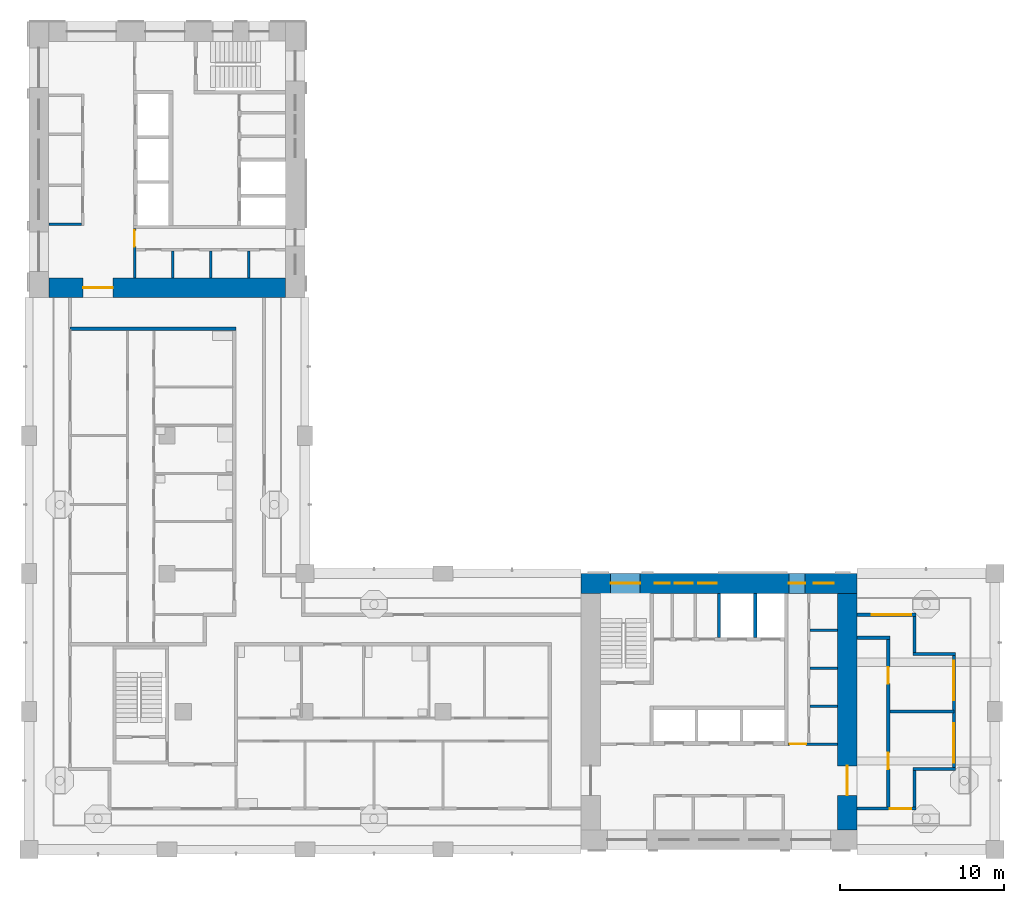
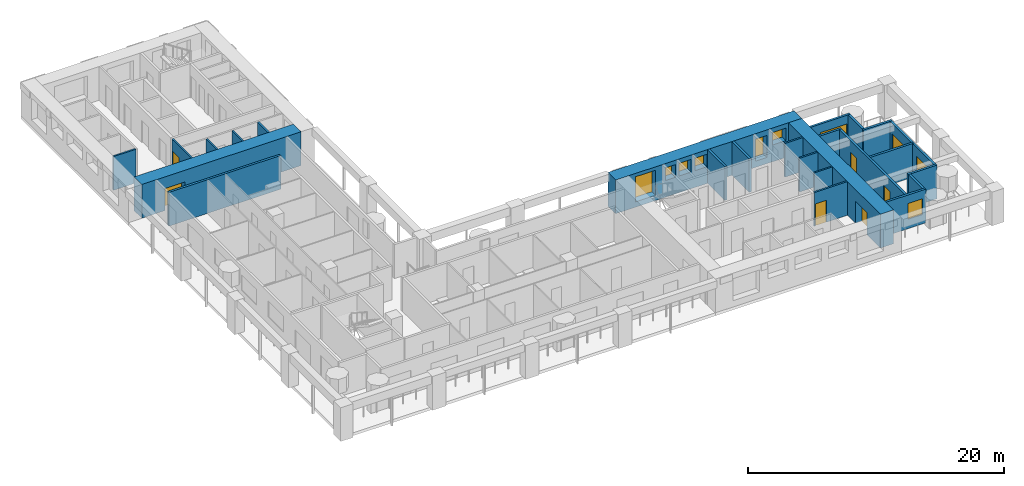
# One storey, part 5 of 13: 25 walls, 9 windows, 7 doors, 16 openings.
"""IFC4 building model written with IfcOpenShell, lengths in metres."""

from ifc_helpers import new_model, si_unit, direction, frame, frame_2d, origin, place, context, subcontext, project, spatial, rectangle, extrude, material, layer, layer_set, type_object, element, fill, save


model = new_model("IFC4")

# Units and contexts
model_context = context("Model", 3, precision=1e-05, world=origin(), true_north=direction((0.0, 1.0)))
body_context = subcontext(model_context, "Body", "Model", "MODEL_VIEW")
ifc_project = project(units=[si_unit("LENGTHUNIT", "METRE"), si_unit("AREAUNIT", "SQUARE_METRE"), si_unit("VOLUMEUNIT", "CUBIC_METRE"), si_unit("PLANEANGLEUNIT", "RADIAN"), si_unit("MASSUNIT", "GRAM", prefix="KILO")], contexts=[model_context])

# Site, building, storey
site_placement = place(None, origin())
site = spatial("IfcSite", under=ifc_project, at=site_placement, CompositionType="ELEMENT")
building_placement = place(site_placement, origin())
building = spatial("IfcBuilding", under=site, at=building_placement, Name="Vermilion Gate Residences", CompositionType="ELEMENT")
storey_placement = place(building_placement, frame((0.0, 0.0, 161.699951171875)))
storey = spatial("IfcBuildingStorey", under=building, at=storey_placement, Name="L41", CompositionType="ELEMENT", Elevation=161.699951171875)

# Wall, opening, door
ifc_material_1 = material(Name="Masonry blockwork", Category="masonry")
ifc_layer_1 = layer(ifc_material_1, 0.14990234375)
ifc_layer_set_1 = layer_set([ifc_layer_1], Name="BLOCKWORK PARTITION 150 EI 120")
wall_type_1 = type_object("IfcWallType", Name="BLOCKWORK PARTITION 150 EI 120", PredefinedType="PARTITIONING", material=ifc_layer_set_1)
wall_1_placement = place(storey_placement, frame((54.60009765625, 14.824951171875, 0.0), z_axis=(0.0, 0.0, 1.0), x_axis=(1.0, 0.0, 0.0)))
wall_1 = element("IfcWall", 1, at=wall_1_placement, inside=storey, type_object=wall_type_1, Name="Core room partition A41-ES-S", PredefinedType="PARTITIONING", context=body_context, shape_type="SweptSolid", body=[
    extrude(rectangle(XDim=3.0, YDim=0.14990234375, at=frame_2d((1.5, 0.0))), origin(), (0.0, 0.0, 1.0), 3.219970703125),
])
opening_1_placement = place(wall_1_placement, frame((0.10009765625, 0.0, 0.0)))
opening_1 = element("IfcOpeningElement", 2, at=opening_1_placement, cuts=wall_1, Name="Opening DK41016", PredefinedType="OPENING", context=body_context, shape_type="SweptSolid", body=[
    extrude(rectangle(XDim=1.0, YDim=2.10009765625, at=frame_2d((0.5, 1.050048828125))), frame((0.0, 0.0849609375, 0.0), z_axis=(0.0, -1.0, 0.0), x_axis=(1.0, 0.0, 0.0)), (0.0, 0.0, 1.0), 0.169921875),
])
ifc_material_2 = material(Name="Steel", Category="steel")
door_type_1 = type_object("IfcDoorType", Name="FIRE DOOR FD60 1000 X 2100", OperationType="SINGLE_SWING_LEFT", PredefinedType="DOOR", material=ifc_material_2)
door_1_placement = place(opening_1_placement, frame((1.0, 0.0, 0.0), z_axis=(0.0, 0.0, 1.0), x_axis=(-1.0, 0.0, 0.0)))
door_1 = element("IfcDoor", 3, at=door_1_placement, inside=storey, type_object=door_type_1, Name="Service corridor door A41", OperationType="SINGLE_SWING_LEFT", OverallHeight=2.10009765625, OverallWidth=1.0, PredefinedType="DOOR", context=body_context, shape_type="SweptSolid", body=[
    extrude(rectangle(XDim=1.0, YDim=2.10009765625, at=frame_2d((0.5, 1.050048828125))), frame((0.0, 0.02490234375, 0.0), z_axis=(0.0, -1.0, 0.0), x_axis=(1.0, 0.0, 0.0)), (0.0, 0.0, 1.0), 0.050048828125),
])
fill(opening_1, door_1)

# Walls
for number, where, z_axis, x_axis, name in (
    (4, (55.949951171875, 17.137451171875, 0.0), (0.0, 0.0, 1.0), (1.0, 0.0, 0.0), "Core room partition A41-ES-P0"),
    (5, (55.949951171875, 19.449951171875, 0.0), (0.0, 0.0, 1.0), (1.0, 0.0, 0.0), "Core room partition A41-ES-P1"),
    (6, (55.949951171875, 21.762451171875, 0.0), (0.0, 0.0, 1.0), (1.0, 0.0, 0.0), "Core room partition A41-ES-P2"),
):
    element("IfcWall", number, at=place(storey_placement, frame(where, z_axis=z_axis, x_axis=x_axis)), inside=storey, type_object=wall_type_1, Name=name, PredefinedType="PARTITIONING", context=body_context, shape_type="SweptSolid", body=[
        extrude(rectangle(XDim=1.650146484375, YDim=0.14990234375, at=frame_2d((0.8251953125, 0.0))), origin(), (0.0, 0.0, 1.0), 3.219970703125),
    ])
wall_2_placement = place(storey_placement, frame((9.60009765625, 46.47509765625, 0.0), z_axis=(0.0, 0.0, 1.0), x_axis=(1.0, 0.0, 0.0)))
element("IfcWall", 7, at=wall_2_placement, inside=storey, type_object=wall_type_1, Name="Core room partition B41-RW-E", PredefinedType="PARTITIONING", context=body_context, shape_type="SweptSolid", body=[
    extrude(rectangle(XDim=2.0, YDim=0.14990234375, at=frame_2d((1.0, 0.0))), origin(), (0.0, 0.0, 1.0), 3.219970703125),
])

# Wall, opening, door
wall_3_placement = place(storey_placement, frame((14.824951171875, 46.199951171875, 0.0), z_axis=(0.0, 0.0, 1.0), x_axis=(0.0, -1.0, 0.0)))
wall_3 = element("IfcWall", 8, at=wall_3_placement, inside=storey, type_object=wall_type_1, Name="Core room partition B41-ES-S", PredefinedType="PARTITIONING", context=body_context, shape_type="SweptSolid", body=[
    extrude(rectangle(XDim=3.0, YDim=0.14990234375, at=frame_2d((1.5, 0.0))), origin(), (0.0, 0.0, 1.0), 3.219970703125),
])
opening_2_placement = place(wall_3_placement, frame((0.10009765625, 0.0, 0.0)))
opening_2 = element("IfcOpeningElement", 9, at=opening_2_placement, cuts=wall_3, Name="Opening DK41115", PredefinedType="OPENING", context=body_context, shape_type="SweptSolid", body=[
    extrude(rectangle(XDim=1.0, YDim=2.10009765625, at=frame_2d((0.5, 1.050048828125))), frame((0.0, 0.0849609375, 0.0), z_axis=(0.0, -1.0, 0.0), x_axis=(1.0, 0.0, 0.0)), (0.0, 0.0, 1.0), 0.169921875),
])
door_2_placement = place(opening_2_placement, frame((1.0, 0.0, 0.0), z_axis=(0.0, 0.0, 1.0), x_axis=(-1.0, 0.0, 0.0)))
door_2 = element("IfcDoor", 10, at=door_2_placement, inside=storey, type_object=door_type_1, Name="Service corridor door B41", OperationType="SINGLE_SWING_LEFT", OverallHeight=2.10009765625, OverallWidth=1.0, PredefinedType="DOOR", context=body_context, shape_type="SweptSolid", body=[
    extrude(rectangle(XDim=1.0, YDim=2.10009765625, at=frame_2d((0.5, 1.050048828125))), frame((0.0, 0.02490234375, 0.0), z_axis=(0.0, -1.0, 0.0), x_axis=(1.0, 0.0, 0.0)), (0.0, 0.0, 1.0), 0.050048828125),
])
fill(opening_2, door_2)

# Walls
for number, where, z_axis, x_axis, name in (
    (11, (17.137451171875, 44.85009765625, 0.0), (0.0, 0.0, 1.0), (0.0, -1.0, 0.0), "Core room partition B41-ES-P0"),
    (12, (19.449951171875, 44.85009765625, 0.0), (0.0, 0.0, 1.0), (0.0, -1.0, 0.0), "Core room partition B41-ES-P1"),
    (13, (21.762451171875, 44.85009765625, 0.0), (0.0, 0.0, 1.0), (0.0, -1.0, 0.0), "Core room partition B41-ES-P2"),
):
    element("IfcWall", number, at=place(storey_placement, frame(where, z_axis=z_axis, x_axis=x_axis)), inside=storey, type_object=wall_type_1, Name=name, PredefinedType="PARTITIONING", context=body_context, shape_type="SweptSolid", body=[
        extrude(rectangle(XDim=1.650146484375, YDim=0.14990234375, at=frame_2d((0.8251953125, 0.0))), origin(), (0.0, 0.0, 1.0), 3.219970703125),
    ])

# Wall, opening, window
ifc_material_3 = material(Name="Insulated steel stud wall with terracotta rainscreen", Category="masonry")
ifc_layer_2 = layer(ifc_material_3, 0.199951171875)
ifc_layer_set_2 = layer_set([ifc_layer_2], Name="EXTERNAL WALL 200 TERRACOTTA RAINSCREEN")
wall_type_2 = type_object("IfcWallType", Name="EXTERNAL WALL 200 TERRACOTTA RAINSCREEN", PredefinedType="SOLIDWALL", material=ifc_layer_set_2)
wall_4_placement = place(storey_placement, frame((58.800048828125, 10.89990234375, 0.0), z_axis=(0.0, 0.0, 1.0), x_axis=(1.0, 0.0, 0.0)))
wall_4 = element("IfcWall", 14, at=wall_4_placement, inside=storey, type_object=wall_type_2, Name="External wall", PredefinedType="SOLIDWALL", context=body_context, shape_type="SweptSolid", body=[
    extrude(rectangle(XDim=3.599853515625, YDim=0.199951171875, at=frame_2d((1.7998046875, 0.0))), origin(), (0.0, 0.0, 1.0), 3.219970703125),
])
opening_3_placement = place(wall_4_placement, frame((2.0, 0.0, 0.89990234375)))
opening_3 = element("IfcOpeningElement", 15, at=opening_3_placement, cuts=wall_4, Name="Opening WE41015", PredefinedType="OPENING", context=body_context, shape_type="SweptSolid", body=[
    extrude(rectangle(XDim=1.300048828125, YDim=1.5, at=frame_2d((0.64990234375, 0.75))), frame((0.0, 0.10986328125, 0.0), z_axis=(0.0, -1.0, 0.0), x_axis=(1.0, 0.0, 0.0)), (0.0, 0.0, 1.0), 0.219970703125),
])
ifc_material_4 = material(Name="Aluminium and clear glass", Category="aluminium")
window_type_1 = type_object("IfcWindowType", Name="WINDOW 1300 X 1500", PartitioningType="SINGLE_PANEL", PredefinedType="WINDOW", material=ifc_material_4)
window_1_placement = place(opening_3_placement, origin())
window_1 = element("IfcWindow", 16, at=window_1_placement, inside=storey, type_object=window_type_1, Name="Window", OverallHeight=1.5, OverallWidth=1.300048828125, PartitioningType="SINGLE_PANEL", PredefinedType="WINDOW", context=body_context, shape_type="SweptSolid", body=[
    extrude(rectangle(XDim=1.300048828125, YDim=1.5, at=frame_2d((0.64990234375, 0.75))), frame((0.0, 0.030029296875, 0.0), z_axis=(0.0, -1.0, 0.0), x_axis=(1.0, 0.0, 0.0)), (0.0, 0.0, 1.0), 0.06005859375),
])
fill(opening_3, window_1)

# Walls
wall_5_placement = place(storey_placement, frame((62.300048828125, 11.0, 0.0), z_axis=(0.0, 0.0, 1.0), x_axis=(0.0, 1.0, 0.0)))
element("IfcWall", 17, at=wall_5_placement, inside=storey, type_object=wall_type_2, Name="External wall", PredefinedType="SOLIDWALL", context=body_context, shape_type="SweptSolid", body=[
    extrude(rectangle(XDim=2.199951171875, YDim=0.199951171875, at=frame_2d((1.10009765625, 0.0))), origin(), (0.0, 0.0, 1.0), 3.219970703125),
])
wall_6_placement = place(storey_placement, frame((62.199951171875, 13.300048828125, 0.0), z_axis=(0.0, 0.0, 1.0), x_axis=(1.0, 0.0, 0.0)))
element("IfcWall", 18, at=wall_6_placement, inside=storey, type_object=wall_type_2, Name="External wall", PredefinedType="SOLIDWALL", context=body_context, shape_type="SweptSolid", body=[
    extrude(rectangle(XDim=2.60009765625, YDim=0.199951171875, at=frame_2d((1.300048828125, 0.0))), origin(), (0.0, 0.0, 1.0), 3.219970703125),
])

# Wall, openings, door, window
wall_7_placement = place(storey_placement, frame((64.699951171875, 13.39990234375, 0.0), z_axis=(0.0, 0.0, 1.0), x_axis=(0.0, 1.0, 0.0)))
wall_7 = element("IfcWall", 19, at=wall_7_placement, inside=storey, type_object=wall_type_2, Name="External wall", PredefinedType="SOLIDWALL", context=body_context, shape_type="SweptSolid", body=[
    extrude(rectangle(XDim=6.800048828125, YDim=0.199951171875, at=frame_2d((3.39990234375, 0.0))), origin(), (0.0, 0.0, 1.0), 3.219970703125),
])
opening_4_placement = place(wall_7_placement, frame((0.300048828125, 0.0, 0.89990234375)))
opening_4 = element("IfcOpeningElement", 20, at=opening_4_placement, cuts=wall_7, Name="Opening WE41016", PredefinedType="OPENING", context=body_context, shape_type="SweptSolid", body=[
    extrude(rectangle(XDim=2.39990234375, YDim=1.5, at=frame_2d((1.199951171875, 0.75))), frame((0.0, 0.10986328125, 0.0), z_axis=(0.0, -1.0, 0.0), x_axis=(1.0, 0.0, 0.0)), (0.0, 0.0, 1.0), 0.219970703125),
])
opening_5_placement = place(wall_7_placement, frame((4.10009765625, 0.0, 0.0)))
opening_5 = element("IfcOpeningElement", 21, at=opening_5_placement, cuts=wall_7, Name="Opening DE41019", PredefinedType="OPENING", context=body_context, shape_type="SweptSolid", body=[
    extrude(rectangle(XDim=2.39990234375, YDim=2.199951171875, at=frame_2d((1.199951171875, 1.10009765625))), frame((0.0, 0.10986328125, 0.0), z_axis=(0.0, -1.0, 0.0), x_axis=(1.0, 0.0, 0.0)), (0.0, 0.0, 1.0), 0.219970703125),
])
ifc_material_5 = material(Name="Aluminium and clear glass", Category="aluminium")
door_type_2 = type_object("IfcDoorType", Name="SLIDING GLAZED DOOR 2400 X 2200", OperationType="DOUBLE_DOOR_SLIDING", PredefinedType="DOOR", material=ifc_material_5)
door_3_placement = place(opening_5_placement, origin())
door_3 = element("IfcDoor", 22, at=door_3_placement, inside=storey, type_object=door_type_2, Name="Loggia sliding door", OperationType="DOUBLE_DOOR_SLIDING", OverallHeight=2.199951171875, OverallWidth=2.39990234375, PredefinedType="DOOR", context=body_context, shape_type="SweptSolid", body=[
    extrude(rectangle(XDim=2.39990234375, YDim=2.199951171875, at=frame_2d((1.199951171875, 1.10009765625))), frame((0.0, 0.02490234375, 0.0), z_axis=(0.0, -1.0, 0.0), x_axis=(1.0, 0.0, 0.0)), (0.0, 0.0, 1.0), 0.050048828125),
])
fill(opening_5, door_3)
ifc_material_6 = material(Name="Aluminium and clear glass", Category="aluminium")
window_type_2 = type_object("IfcWindowType", Name="WINDOW 2400 X 1500", PartitioningType="SINGLE_PANEL", PredefinedType="WINDOW", material=ifc_material_6)
window_2_placement = place(opening_4_placement, origin())
window_2 = element("IfcWindow", 23, at=window_2_placement, inside=storey, type_object=window_type_2, Name="Window", OverallHeight=1.5, OverallWidth=2.39990234375, PartitioningType="SINGLE_PANEL", PredefinedType="WINDOW", context=body_context, shape_type="SweptSolid", body=[
    extrude(rectangle(XDim=2.39990234375, YDim=1.5, at=frame_2d((1.199951171875, 0.75))), frame((0.0, 0.030029296875, 0.0), z_axis=(0.0, -1.0, 0.0), x_axis=(1.0, 0.0, 0.0)), (0.0, 0.0, 1.0), 0.06005859375),
])
fill(opening_4, window_2)

# Walls
wall_8_placement = place(storey_placement, frame((64.800048828125, 20.300048828125, 0.0), z_axis=(0.0, 0.0, 1.0), x_axis=(-1.0, 0.0, 0.0)))
element("IfcWall", 24, at=wall_8_placement, inside=storey, type_object=wall_type_2, Name="External wall", PredefinedType="SOLIDWALL", context=body_context, shape_type="SweptSolid", body=[
    extrude(rectangle(XDim=2.60009765625, YDim=0.199951171875, at=frame_2d((1.300048828125, 0.0))), origin(), (0.0, 0.0, 1.0), 3.219970703125),
])
wall_9_placement = place(storey_placement, frame((62.300048828125, 20.39990234375, 0.0), z_axis=(0.0, 0.0, 1.0), x_axis=(0.0, 1.0, 0.0)))
element("IfcWall", 25, at=wall_9_placement, inside=storey, type_object=wall_type_2, Name="External wall", PredefinedType="SOLIDWALL", context=body_context, shape_type="SweptSolid", body=[
    extrude(rectangle(XDim=2.2001953125, YDim=0.199951171875, at=frame_2d((1.10009765625, 0.0))), origin(), (0.0, 0.0, 1.0), 3.219970703125),
])

# Wall, opening, window
wall_10_placement = place(storey_placement, frame((62.39990234375, 22.699951171875, 0.0), z_axis=(0.0, 0.0, 1.0), x_axis=(-1.0, 0.0, 0.0)))
wall_10 = element("IfcWall", 26, at=wall_10_placement, inside=storey, type_object=wall_type_2, Name="External wall", PredefinedType="SOLIDWALL", context=body_context, shape_type="SweptSolid", body=[
    extrude(rectangle(XDim=3.599853515625, YDim=0.199951171875, at=frame_2d((1.7998046875, 0.0))), origin(), (0.0, 0.0, 1.0), 3.219970703125),
])
opening_6_placement = place(wall_10_placement, frame((0.300048828125, 0.0, 0.89990234375)))
opening_6 = element("IfcOpeningElement", 27, at=opening_6_placement, cuts=wall_10, Name="Opening WE41018", PredefinedType="OPENING", context=body_context, shape_type="SweptSolid", body=[
    extrude(rectangle(XDim=2.39990234375, YDim=1.5, at=frame_2d((1.199951171875, 0.75))), frame((0.0, 0.10986328125, 0.0), z_axis=(0.0, -1.0, 0.0), x_axis=(1.0, 0.0, 0.0)), (0.0, 0.0, 1.0), 0.219970703125),
])
window_3_placement = place(opening_6_placement, origin())
window_3 = element("IfcWindow", 28, at=window_3_placement, inside=storey, type_object=window_type_2, Name="Window", OverallHeight=1.5, OverallWidth=2.39990234375, PartitioningType="SINGLE_PANEL", PredefinedType="WINDOW", context=body_context, shape_type="SweptSolid", body=[
    extrude(rectangle(XDim=2.39990234375, YDim=1.5, at=frame_2d((1.199951171875, 0.75))), frame((0.0, 0.030029296875, 0.0), z_axis=(0.0, -1.0, 0.0), x_axis=(1.0, 0.0, 0.0)), (0.0, 0.0, 1.0), 0.06005859375),
])
fill(opening_6, window_3)

# Walls
ifc_material_7 = material(Name="Fire-rated plasterboard on steel studs", Category="steel")
ifc_layer_3 = layer(ifc_material_7, 0.199951171875)
ifc_layer_set_3 = layer_set([ifc_layer_3], Name="PARTY WALL 200 EI 120")
wall_type_3 = type_object("IfcWallType", Name="PARTY WALL 200 EI 120", PredefinedType="PARTITIONING", material=ifc_layer_set_3)
wall_11_placement = place(storey_placement, frame((60.800048828125, 16.800048828125, 0.0), z_axis=(0.0, 0.0, 1.0), x_axis=(1.0, 0.0, 0.0)))
element("IfcWall", 29, at=wall_11_placement, inside=storey, type_object=wall_type_3, Name="Party and corridor wall", PredefinedType="PARTITIONING", context=body_context, shape_type="SweptSolid", body=[
    extrude(rectangle(XDim=3.89990234375, YDim=0.199951171875, at=frame_2d((1.949951171875, 0.0))), origin(), (0.0, 0.0, 1.0), 3.219970703125),
])
wall_12_placement = place(storey_placement, frame((58.800048828125, 21.300048828125, 0.0), z_axis=(0.0, 0.0, 1.0), x_axis=(1.0, 0.0, 0.0)))
element("IfcWall", 30, at=wall_12_placement, inside=storey, type_object=wall_type_3, Name="Party and corridor wall", PredefinedType="PARTITIONING", context=body_context, shape_type="SweptSolid", body=[
    extrude(rectangle(XDim=2.0, YDim=0.199951171875, at=frame_2d((1.0, 0.0))), origin(), (0.0, 0.0, 1.0), 3.219970703125),
])
wall_13_placement = place(storey_placement, frame((10.89990234375, 40.10009765625, 0.0), z_axis=(0.0, 0.0, 1.0), x_axis=(1.0, 0.0, 0.0)))
element("IfcWall", 31, at=wall_13_placement, inside=storey, type_object=wall_type_3, Name="Party and corridor wall", PredefinedType="PARTITIONING", context=body_context, shape_type="SweptSolid", body=[
    extrude(rectangle(XDim=10.10009765625, YDim=0.199951171875, at=frame_2d((5.050048828125, 0.0))), origin(), (0.0, 0.0, 1.0), 3.219970703125),
])

# Wall, openings, doors
wall_14_placement = place(storey_placement, frame((60.699951171875, 10.89990234375, 0.0), z_axis=(0.0, 0.0, 1.0), x_axis=(0.0, 1.0, 0.0)))
wall_14 = element("IfcWall", 32, at=wall_14_placement, inside=storey, type_object=wall_type_3, Name="Party and corridor wall", PredefinedType="PARTITIONING", context=body_context, shape_type="SweptSolid", body=[
    extrude(rectangle(XDim=10.300048828125, YDim=0.199951171875, at=frame_2d((5.14990234375, 0.0))), origin(), (0.0, 0.0, 1.0), 3.219970703125),
])
opening_7_placement = place(wall_14_placement, frame((2.39990234375, 0.0, 0.0)))
opening_7 = element("IfcOpeningElement", 33, at=opening_7_placement, cuts=wall_14, Name="Opening DA40024", PredefinedType="OPENING", context=body_context, shape_type="SweptSolid", body=[
    extrude(rectangle(XDim=1.0, YDim=2.10009765625, at=frame_2d((0.5, 1.050048828125))), frame((0.0, 0.10986328125, 0.0), z_axis=(0.0, -1.0, 0.0), x_axis=(1.0, 0.0, 0.0)), (0.0, 0.0, 1.0), 0.219970703125),
])
opening_8_placement = place(wall_14_placement, frame((7.60009765625, 0.0, 0.0)))
opening_8 = element("IfcOpeningElement", 34, at=opening_8_placement, cuts=wall_14, Name="Opening DA40025", PredefinedType="OPENING", context=body_context, shape_type="SweptSolid", body=[
    extrude(rectangle(XDim=1.0, YDim=2.10009765625, at=frame_2d((0.5, 1.050048828125))), frame((0.0, 0.10986328125, 0.0), z_axis=(0.0, -1.0, 0.0), x_axis=(1.0, 0.0, 0.0)), (0.0, 0.0, 1.0), 0.219970703125),
])
ifc_material_8 = material(Name="Steel", Category="steel")
door_type_3 = type_object("IfcDoorType", Name="ENTRANCE DOOR 1000 X 2100 FD30", OperationType="SINGLE_SWING_LEFT", PredefinedType="DOOR", material=ifc_material_8)
door_4_placement = place(opening_7_placement, frame((1.0, 0.0, 0.0), z_axis=(0.0, 0.0, 1.0), x_axis=(-1.0, 0.0, 0.0)))
door_4 = element("IfcDoor", 35, at=door_4_placement, inside=storey, type_object=door_type_3, Name="Entrance door", OperationType="SINGLE_SWING_RIGHT", OverallHeight=2.10009765625, OverallWidth=1.0, PredefinedType="DOOR", context=body_context, shape_type="SweptSolid", body=[
    extrude(rectangle(XDim=1.0, YDim=2.10009765625, at=frame_2d((0.5, 1.050048828125))), frame((0.0, 0.02490234375, 0.0), z_axis=(0.0, -1.0, 0.0), x_axis=(1.0, 0.0, 0.0)), (0.0, 0.0, 1.0), 0.050048828125),
])
fill(opening_7, door_4)
door_5_placement = place(opening_8_placement, frame((1.0, 0.0, 0.0), z_axis=(0.0, 0.0, 1.0), x_axis=(-1.0, 0.0, 0.0)))
door_5 = element("IfcDoor", 36, at=door_5_placement, inside=storey, type_object=door_type_3, Name="Entrance door", OperationType="SINGLE_SWING_RIGHT", OverallHeight=2.10009765625, OverallWidth=1.0, PredefinedType="DOOR", context=body_context, shape_type="SweptSolid", body=[
    extrude(rectangle(XDim=1.0, YDim=2.10009765625, at=frame_2d((0.5, 1.050048828125))), frame((0.0, 0.02490234375, 0.0), z_axis=(0.0, -1.0, 0.0), x_axis=(1.0, 0.0, 0.0)), (0.0, 0.0, 1.0), 0.050048828125),
])
fill(opening_8, door_5)

# Walls
ifc_material_9 = material(Name="Concrete C60", Category="concrete")
ifc_layer_4 = layer(ifc_material_9, 0.199951171875)
ifc_layer_set_4 = layer_set([ifc_layer_4], Name="RC CORE INTERNAL WALL 200 C60")
wall_type_4 = type_object("IfcWallType", Name="RC CORE INTERNAL WALL 200 C60", PredefinedType="SHEAR", material=ifc_layer_set_4)
for number, where, z_axis, x_axis, name in (
    (37, (50.39990234375, 21.300048828125, 0.0), (0.0, 0.0, 1.0), (0.0, 1.0, 0.0), "Core internal wall A41-FF-D0"),
    (38, (52.60009765625, 21.300048828125, 0.0), (0.0, 0.0, 1.0), (0.0, 1.0, 0.0), "Core internal wall A41-FF-D1"),
):
    element("IfcWall", number, at=place(storey_placement, frame(where, z_axis=z_axis, x_axis=x_axis)), inside=storey, type_object=wall_type_4, Name=name, PredefinedType="SHEAR", context=body_context, shape_type="SweptSolid", body=[
        extrude(rectangle(XDim=2.699951171875, YDim=0.199951171875, at=frame_2d((1.35009765625, 0.0))), origin(), (0.0, 0.0, 1.0), 3.219970703125),
    ])

# Wall, opening, door
ifc_material_10 = material(Name="Concrete C60", Category="concrete")
ifc_layer_5 = layer(ifc_material_10, 1.199951171875)
ifc_layer_set_5 = layer_set([ifc_layer_5], Name="RC CORE WALL 1200 C60")
wall_type_5 = type_object("IfcWallType", Name="RC CORE WALL 1200 C60", PredefinedType="SHEAR", material=ifc_layer_set_5)
wall_15_placement = place(storey_placement, frame((58.199951171875, 9.60009765625, 0.0), z_axis=(0.0, 0.0, 1.0), x_axis=(0.0, 1.0, 0.0)))
wall_15 = element("IfcWall", 39, at=wall_15_placement, inside=storey, type_object=wall_type_5, Name="Core wall A41-OUT-BK", PredefinedType="SHEAR", context=body_context, shape_type="SweptSolid", body=[
    extrude(rectangle(XDim=14.39990234375, YDim=1.199951171875, at=frame_2d((7.199951171875, 0.0))), origin(), (0.0, 0.0, 1.0), 3.219970703125),
])
opening_9_placement = place(wall_15_placement, frame((2.10009765625, 0.0, 0.0)))
opening_9 = element("IfcOpeningElement", 40, at=opening_9_placement, cuts=wall_15, Name="Opening DK41002", PredefinedType="OPENING", context=body_context, shape_type="SweptSolid", body=[
    extrude(rectangle(XDim=1.800048828125, YDim=2.10009765625, at=frame_2d((0.89990234375, 1.050048828125))), frame((0.0, 0.60986328125, 0.0), z_axis=(0.0, -1.0, 0.0), x_axis=(1.0, 0.0, 0.0)), (0.0, 0.0, 1.0), 1.219970703125),
])
ifc_material_11 = material(Name="Steel", Category="steel")
door_type_4 = type_object("IfcDoorType", Name="CORE LOBBY DOOR FD60 1800 X 2100", OperationType="DOUBLE_DOOR_SINGLE_SWING", PredefinedType="DOOR", material=ifc_material_11)
door_6_placement = place(opening_9_placement, origin())
door_6 = element("IfcDoor", 41, at=door_6_placement, inside=storey, type_object=door_type_4, Name="Core lobby door A41", OperationType="DOUBLE_DOOR_SINGLE_SWING", OverallHeight=2.10009765625, OverallWidth=1.800048828125, PredefinedType="DOOR", context=body_context, shape_type="SweptSolid", body=[
    extrude(rectangle(XDim=1.800048828125, YDim=2.10009765625, at=frame_2d((0.89990234375, 1.050048828125))), frame((0.0, 0.02490234375, 0.0), z_axis=(0.0, -1.0, 0.0), x_axis=(1.0, 0.0, 0.0)), (0.0, 0.0, 1.0), 0.050048828125),
])
fill(opening_9, door_6)

wall_16_placement = place(storey_placement, frame((9.60009765625, 42.60009765625, 0.0), z_axis=(0.0, 0.0, 1.0), x_axis=(1.0, 0.0, 0.0)))
wall_16 = element("IfcWall", 42, at=wall_16_placement, inside=storey, type_object=wall_type_5, Name="Core wall B41-OUT-BK", PredefinedType="SHEAR", context=body_context, shape_type="SweptSolid", body=[
    extrude(rectangle(XDim=14.39990234375, YDim=1.199951171875, at=frame_2d((7.199951171875, 0.0))), origin(), (0.0, 0.0, 1.0), 3.219970703125),
])
opening_10_placement = place(wall_16_placement, frame((2.10009765625, 0.0, 0.0)))
opening_10 = element("IfcOpeningElement", 43, at=opening_10_placement, cuts=wall_16, Name="Opening DK41101", PredefinedType="OPENING", context=body_context, shape_type="SweptSolid", body=[
    extrude(rectangle(XDim=1.800048828125, YDim=2.10009765625, at=frame_2d((0.89990234375, 1.050048828125))), frame((0.0, 0.60986328125, 0.0), z_axis=(0.0, -1.0, 0.0), x_axis=(1.0, 0.0, 0.0)), (0.0, 0.0, 1.0), 1.219970703125),
])
door_7_placement = place(opening_10_placement, frame((1.800048828125, 0.0, 0.0), z_axis=(0.0, 0.0, 1.0), x_axis=(-1.0, 0.0, 0.0)))
door_7 = element("IfcDoor", 44, at=door_7_placement, inside=storey, type_object=door_type_4, Name="Core lobby door B41", OperationType="DOUBLE_DOOR_SINGLE_SWING", OverallHeight=2.10009765625, OverallWidth=1.800048828125, PredefinedType="DOOR", context=body_context, shape_type="SweptSolid", body=[
    extrude(rectangle(XDim=1.800048828125, YDim=2.10009765625, at=frame_2d((0.89990234375, 1.050048828125))), frame((0.0, 0.02490234375, 0.0), z_axis=(0.0, -1.0, 0.0), x_axis=(1.0, 0.0, 0.0)), (0.0, 0.0, 1.0), 0.050048828125),
])
fill(opening_10, door_7)

# Wall, openings, windows
ifc_material_12 = material(Name="Concrete C60 red-oxide pigmented", Category="concrete")
ifc_layer_6 = layer(ifc_material_12, 1.199951171875)
ifc_layer_set_6 = layer_set([ifc_layer_6], Name="RC CORE WALL 1200 C60 RED OXIDE")
wall_type_6 = type_object("IfcWallType", Name="RC CORE WALL 1200 C60 RED OXIDE", PredefinedType="SHEAR", material=ifc_layer_set_6)
wall_17_placement = place(storey_placement, frame((42.0, 24.60009765625, 0.0), z_axis=(0.0, 0.0, 1.0), x_axis=(1.0, 0.0, 0.0)))
wall_17 = element("IfcWall", 45, at=wall_17_placement, inside=storey, type_object=wall_type_6, Name="Core wall A41-OUT-B1", PredefinedType="SHEAR", context=body_context, shape_type="SweptSolid", body=[
    extrude(rectangle(XDim=16.800048828125, YDim=1.199951171875, at=frame_2d((8.39990234375, 0.0))), origin(), (0.0, 0.0, 1.0), 3.219970703125),
])
opening_11_placement = place(wall_17_placement, frame((1.800048828125, 0.0, 0.5)))
opening_11 = element("IfcOpeningElement", 46, at=opening_11_placement, cuts=wall_17, Name="Opening WKA4106", PredefinedType="OPENING", context=body_context, shape_type="SweptSolid", body=[
    extrude(rectangle(XDim=1.800048828125, YDim=2.39990234375, at=frame_2d((0.89990234375, 1.199951171875))), frame((0.0, 0.60986328125, 0.0), z_axis=(0.0, -1.0, 0.0), x_axis=(1.0, 0.0, 0.0)), (0.0, 0.0, 1.0), 1.219970703125),
])
opening_12_placement = place(wall_17_placement, frame((4.489990234375, 0.0, 1.60009765625)))
opening_12 = element("IfcOpeningElement", 47, at=opening_12_placement, cuts=wall_17, Name="Opening WKA4107", PredefinedType="OPENING", context=body_context, shape_type="SweptSolid", body=[
    extrude(rectangle(XDim=0.89990234375, YDim=1.199951171875, at=frame_2d((0.449951171875, 0.60009765625))), frame((0.0, 0.60986328125, 0.0), z_axis=(0.0, -1.0, 0.0), x_axis=(1.0, 0.0, 0.0)), (0.0, 0.0, 1.0), 1.219970703125),
])
opening_13_placement = place(wall_17_placement, frame((5.7099609375, 0.0, 1.60009765625)))
opening_13 = element("IfcOpeningElement", 48, at=opening_13_placement, cuts=wall_17, Name="Opening WKA4108", PredefinedType="OPENING", context=body_context, shape_type="SweptSolid", body=[
    extrude(rectangle(XDim=1.10009765625, YDim=1.199951171875, at=frame_2d((0.550048828125, 0.60009765625))), frame((0.0, 0.60986328125, 0.0), z_axis=(0.0, -1.0, 0.0), x_axis=(1.0, 0.0, 0.0)), (0.0, 0.0, 1.0), 1.219970703125),
])
opening_14_placement = place(wall_17_placement, frame((7.14990234375, 0.0, 1.60009765625)))
opening_14 = element("IfcOpeningElement", 49, at=opening_14_placement, cuts=wall_17, Name="Opening WKA4109", PredefinedType="OPENING", context=body_context, shape_type="SweptSolid", body=[
    extrude(rectangle(XDim=1.10009765625, YDim=1.199951171875, at=frame_2d((0.550048828125, 0.60009765625))), frame((0.0, 0.60986328125, 0.0), z_axis=(0.0, -1.0, 0.0), x_axis=(1.0, 0.0, 0.0)), (0.0, 0.0, 1.0), 1.219970703125),
])
opening_15_placement = place(wall_17_placement, frame((12.64990234375, 0.0, 0.60009765625)))
opening_15 = element("IfcOpeningElement", 50, at=opening_15_placement, cuts=wall_17, Name="Opening WKA4110", PredefinedType="OPENING", context=body_context, shape_type="SweptSolid", body=[
    extrude(rectangle(XDim=1.0, YDim=2.10009765625, at=frame_2d((0.5, 1.050048828125))), frame((0.0, 0.60986328125, 0.0), z_axis=(0.0, -1.0, 0.0), x_axis=(1.0, 0.0, 0.0)), (0.0, 0.0, 1.0), 1.219970703125),
])
opening_16_placement = place(wall_17_placement, frame((14.175048828125, 0.0, 1.60009765625)))
opening_16 = element("IfcOpeningElement", 51, at=opening_16_placement, cuts=wall_17, Name="Opening WKA4111", PredefinedType="OPENING", context=body_context, shape_type="SweptSolid", body=[
    extrude(rectangle(XDim=1.199951171875, YDim=1.199951171875, at=frame_2d((0.60009765625, 0.60009765625))), frame((0.0, 0.60986328125, 0.0), z_axis=(0.0, -1.0, 0.0), x_axis=(1.0, 0.0, 0.0)), (0.0, 0.0, 1.0), 1.219970703125),
])
ifc_material_13 = material(Name="Aluminium and clear glass", Category="aluminium")
window_type_3 = type_object("IfcWindowType", Name="CORE CORRIDOR WINDOW 1000 X 2100", PartitioningType="SINGLE_PANEL", PredefinedType="WINDOW", material=ifc_material_13)
window_4_placement = place(opening_15_placement, origin())
window_4 = element("IfcWindow", 52, at=window_4_placement, inside=storey, type_object=window_type_3, Name="Core corridor window", OverallHeight=2.10009765625, OverallWidth=1.0, PartitioningType="SINGLE_PANEL", PredefinedType="WINDOW", context=body_context, shape_type="SweptSolid", body=[
    extrude(rectangle(XDim=1.0, YDim=2.10009765625, at=frame_2d((0.5, 1.050048828125))), frame((0.0, 0.030029296875, 0.0), z_axis=(0.0, -1.0, 0.0), x_axis=(1.0, 0.0, 0.0)), (0.0, 0.0, 1.0), 0.06005859375),
])
fill(opening_15, window_4)
ifc_material_14 = material(Name="Aluminium frame with louvre blades", Category="aluminium")
window_type_4 = type_object("IfcWindowType", Name="CORE LOUVRE 1100 X 1200", PartitioningType="SINGLE_PANEL", PredefinedType="WINDOW", material=ifc_material_14)
window_5_placement = place(opening_13_placement, origin())
window_5 = element("IfcWindow", 53, at=window_5_placement, inside=storey, type_object=window_type_4, Name="Core louvre", OverallHeight=1.199951171875, OverallWidth=1.10009765625, PartitioningType="SINGLE_PANEL", PredefinedType="WINDOW", context=body_context, shape_type="SweptSolid", body=[
    extrude(rectangle(XDim=1.10009765625, YDim=1.199951171875, at=frame_2d((0.550048828125, 0.60009765625))), frame((0.0, 0.030029296875, 0.0), z_axis=(0.0, -1.0, 0.0), x_axis=(1.0, 0.0, 0.0)), (0.0, 0.0, 1.0), 0.06005859375),
])
fill(opening_13, window_5)
window_6_placement = place(opening_14_placement, origin())
window_6 = element("IfcWindow", 54, at=window_6_placement, inside=storey, type_object=window_type_4, Name="Core louvre", OverallHeight=1.199951171875, OverallWidth=1.10009765625, PartitioningType="SINGLE_PANEL", PredefinedType="WINDOW", context=body_context, shape_type="SweptSolid", body=[
    extrude(rectangle(XDim=1.10009765625, YDim=1.199951171875, at=frame_2d((0.550048828125, 0.60009765625))), frame((0.0, 0.030029296875, 0.0), z_axis=(0.0, -1.0, 0.0), x_axis=(1.0, 0.0, 0.0)), (0.0, 0.0, 1.0), 0.06005859375),
])
fill(opening_14, window_6)
ifc_material_15 = material(Name="Aluminium frame with louvre blades", Category="aluminium")
window_type_5 = type_object("IfcWindowType", Name="CORE LOUVRE 1200 X 1200", PartitioningType="SINGLE_PANEL", PredefinedType="WINDOW", material=ifc_material_15)
window_7_placement = place(opening_16_placement, origin())
window_7 = element("IfcWindow", 55, at=window_7_placement, inside=storey, type_object=window_type_5, Name="Core louvre", OverallHeight=1.199951171875, OverallWidth=1.199951171875, PartitioningType="SINGLE_PANEL", PredefinedType="WINDOW", context=body_context, shape_type="SweptSolid", body=[
    extrude(rectangle(XDim=1.199951171875, YDim=1.199951171875, at=frame_2d((0.60009765625, 0.60009765625))), frame((0.0, 0.030029296875, 0.0), z_axis=(0.0, -1.0, 0.0), x_axis=(1.0, 0.0, 0.0)), (0.0, 0.0, 1.0), 0.06005859375),
])
fill(opening_16, window_7)
ifc_material_16 = material(Name="Aluminium frame with louvre blades", Category="aluminium")
window_type_6 = type_object("IfcWindowType", Name="CORE LOUVRE 900 X 1200", PartitioningType="SINGLE_PANEL", PredefinedType="WINDOW", material=ifc_material_16)
window_8_placement = place(opening_12_placement, origin())
window_8 = element("IfcWindow", 56, at=window_8_placement, inside=storey, type_object=window_type_6, Name="Core louvre", OverallHeight=1.199951171875, OverallWidth=0.89990234375, PartitioningType="SINGLE_PANEL", PredefinedType="WINDOW", context=body_context, shape_type="SweptSolid", body=[
    extrude(rectangle(XDim=0.89990234375, YDim=1.199951171875, at=frame_2d((0.449951171875, 0.60009765625))), frame((0.0, 0.030029296875, 0.0), z_axis=(0.0, -1.0, 0.0), x_axis=(1.0, 0.0, 0.0)), (0.0, 0.0, 1.0), 0.06005859375),
])
fill(opening_12, window_8)
ifc_material_17 = material(Name="Aluminium and clear glass", Category="aluminium")
window_type_7 = type_object("IfcWindowType", Name="CORE STAIR WINDOW 1800 X 2400", PartitioningType="SINGLE_PANEL", PredefinedType="WINDOW", material=ifc_material_17)
window_9_placement = place(opening_11_placement, origin())
window_9 = element("IfcWindow", 57, at=window_9_placement, inside=storey, type_object=window_type_7, Name="Core stair window", OverallHeight=2.39990234375, OverallWidth=1.800048828125, PartitioningType="SINGLE_PANEL", PredefinedType="WINDOW", context=body_context, shape_type="SweptSolid", body=[
    extrude(rectangle(XDim=1.800048828125, YDim=2.39990234375, at=frame_2d((0.89990234375, 1.199951171875))), frame((0.0, 0.030029296875, 0.0), z_axis=(0.0, -1.0, 0.0), x_axis=(1.0, 0.0, 0.0)), (0.0, 0.0, 1.0), 0.06005859375),
])
fill(opening_11, window_9)

save(model, "model.ifc")
